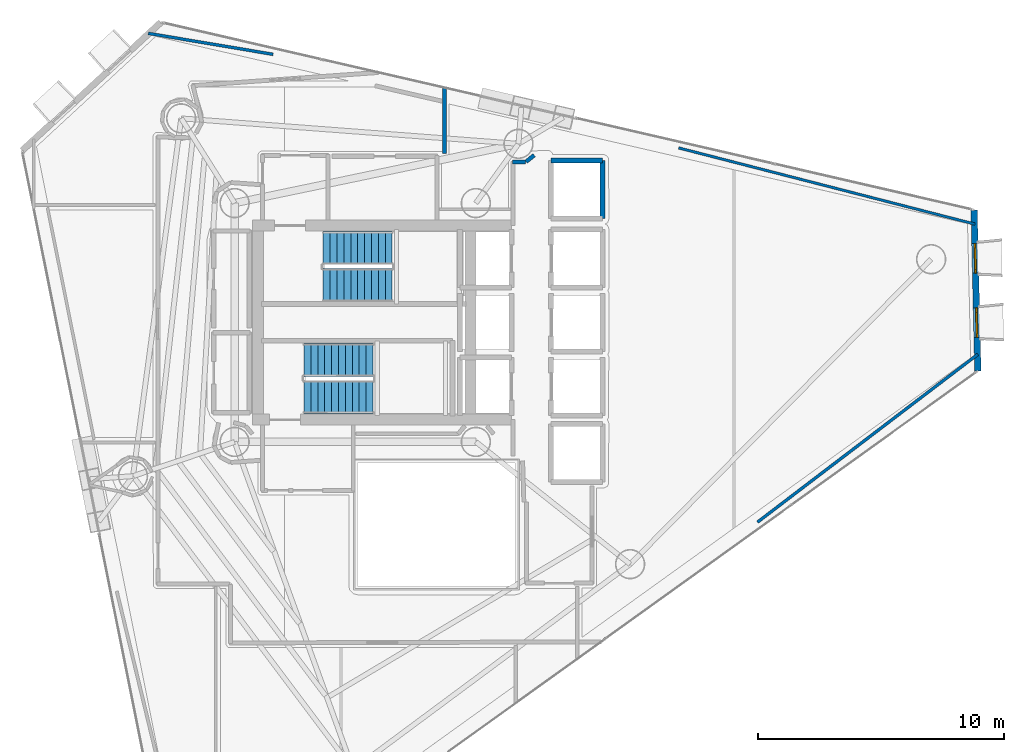
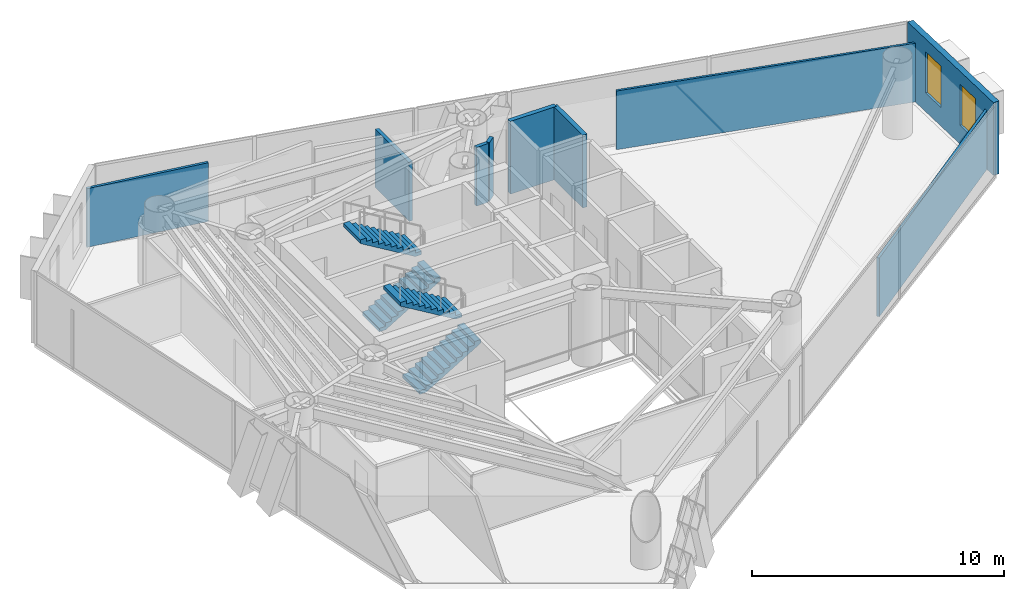
# One storey, part 19 of 22: 9 walls, 4 stair flights, 2 windows, 2 openings, 2 elements without a shape of their own.
"""IFC4 building model written with IfcOpenShell, lengths in metres."""

from ifc_helpers import new_model, si_unit, direction, frame, frame_2d, origin, place, context, subcontext, project, spatial, polyline, rectangle, outline, extrude, material, layer, layer_set, type_object, element, fill, aggregate, save


model = new_model("IFC4")

# Units and contexts
model_context = context("Model", 3, precision=1e-05, world=origin(), true_north=direction((0.0, 1.0)))
body_context = subcontext(model_context, "Body", "Model", "MODEL_VIEW")
ifc_project = project(units=[si_unit("LENGTHUNIT", "METRE"), si_unit("AREAUNIT", "SQUARE_METRE"), si_unit("VOLUMEUNIT", "CUBIC_METRE"), si_unit("PLANEANGLEUNIT", "RADIAN"), si_unit("MASSUNIT", "GRAM", prefix="KILO")], contexts=[model_context])

# Site, building, storey
site_placement = place(None, origin())
site = spatial("IfcSite", under=ifc_project, at=site_placement, CompositionType="ELEMENT")
building_placement = place(site_placement, origin())
building = spatial("IfcBuilding", under=site, at=building_placement, Name="Qianvela Tower", CompositionType="ELEMENT")
storey_placement = place(building_placement, frame((0.0, 0.0, 200.300048828125)))
storey = spatial("IfcBuildingStorey", under=building, at=storey_placement, Name="L51", CompositionType="ELEMENT", Elevation=200.300048828125)

# Wall, openings, windows
ifc_material_1 = material(Name="Terracotta Cladding on Concrete C40", Category="masonry")
ifc_layer_1 = layer(ifc_material_1, 0.260009765625)
ifc_layer_set_1 = layer_set([ifc_layer_1], Name="Terracotta Cladding on Concrete C40")
wall_type_1 = type_object("IfcWallType", Name="TERRACOTTA-WALL-260", PredefinedType="SOLIDWALL", material=ifc_layer_set_1)
wall_1_placement = place(storey_placement, frame((58.79345703125, 26.730224609375, 0.0), z_axis=(0.0, 0.0, 1.0), x_axis=(-0.023327605805, 0.999727874378, 0.0)))
wall_1 = element("IfcWall", 1, at=wall_1_placement, inside=storey, type_object=wall_type_1, Name="L51 Terracotta Chamfer Facet Wall 1", PredefinedType="SOLIDWALL", context=body_context, shape_type="SweptSolid", body=[
    extrude(rectangle(XDim=6.541015625, YDim=0.260009765625, at=frame_2d((3.2705078125, 0.0))), origin(), (0.0, 0.0, 1.0), 3.52001953125),
])
opening_1_placement = place(wall_1_placement, frame((1.3623046875, 0.0, 0.89990234375)))
opening_1 = element("IfcOpeningElement", 2, at=opening_1_placement, cuts=wall_1, Name="Opening W-03", PredefinedType="OPENING", context=body_context, shape_type="SweptSolid", body=[
    extrude(rectangle(XDim=1.199951171875, YDim=2.0, at=frame_2d((0.60009765625, 1.0))), frame((0.0, 0.139892578125, 0.0), z_axis=(0.0, -1.0, 0.0), x_axis=(1.0, 0.0, 0.0)), (0.0, 0.0, 1.0), 0.280029296875),
])
opening_2_placement = place(wall_1_placement, frame((3.978759765625, 0.0, 0.89990234375)))
opening_2 = element("IfcOpeningElement", 3, at=opening_2_placement, cuts=wall_1, Name="Opening W-03", PredefinedType="OPENING", context=body_context, shape_type="SweptSolid", body=[
    extrude(rectangle(XDim=1.199951171875, YDim=2.0, at=frame_2d((0.60009765625, 1.0))), frame((0.0, 0.139892578125, 0.0), z_axis=(0.0, -1.0, 0.0), x_axis=(1.0, 0.0, 0.0)), (0.0, 0.0, 1.0), 0.280029296875),
])
ifc_material_2 = material(Name="Thermally Broken Aluminium and Low-E Glass", Category="aluminium")
window_type = type_object("IfcWindowType", Name="WIN-TC-1200x2000", PartitioningType="SINGLE_PANEL", PredefinedType="WINDOW", material=ifc_material_2)
window_1_placement = place(opening_1_placement, origin())
window_1 = element("IfcWindow", 4, at=window_1_placement, inside=storey, type_object=window_type, Name="L51 Chamfer Facet Window 1.1", OverallHeight=2.0, OverallWidth=1.199951171875, PartitioningType="SINGLE_PANEL", PredefinedType="WINDOW", context=body_context, shape_type="SweptSolid", body=[
    extrude(rectangle(XDim=1.199951171875, YDim=2.0, at=frame_2d((0.60009765625, 1.0))), frame((0.0, 0.030029296875, 0.0), z_axis=(0.0, -1.0, 0.0), x_axis=(1.0, 0.0, 0.0)), (0.0, 0.0, 1.0), 0.06005859375),
])
fill(opening_1, window_1)
window_2_placement = place(opening_2_placement, origin())
window_2 = element("IfcWindow", 5, at=window_2_placement, inside=storey, type_object=window_type, Name="L51 Chamfer Facet Window 1.2", OverallHeight=2.0, OverallWidth=1.199951171875, PartitioningType="SINGLE_PANEL", PredefinedType="WINDOW", context=body_context, shape_type="SweptSolid", body=[
    extrude(rectangle(XDim=1.199951171875, YDim=2.0, at=frame_2d((0.60009765625, 1.0))), frame((0.0, 0.030029296875, 0.0), z_axis=(0.0, -1.0, 0.0), x_axis=(1.0, 0.0, 0.0)), (0.0, 0.0, 1.0), 0.06005859375),
])
fill(opening_2, window_2)

# Walls
ifc_material_3 = material(Name="Fire-Rated Gypsum and Concrete Block", Category="concrete")
ifc_layer_2 = layer(ifc_material_3, 0.159912109375)
ifc_layer_set_2 = layer_set([ifc_layer_2], Name="Fire-Rated Gypsum and Concrete Block")
wall_type_2 = type_object("IfcWallType", Name="WT-CORR-160", PredefinedType="PARTITIONING", material=ifc_layer_set_2)
wall_2_placement = place(storey_placement, frame((39.880615234375, 35.212890625, 0.0), z_axis=(0.0, 0.0, 1.0), x_axis=(0.999756500784, 0.02206669754, 0.0)))
element("IfcWall", 6, at=wall_2_placement, inside=storey, type_object=wall_type_2, Name="L51 Partition 13", PredefinedType="PARTITIONING", context=body_context, shape_type="SweptSolid", body=[
    extrude(rectangle(XDim=0.542236328125, YDim=0.159912109375, at=frame_2d((0.27099609375, 0.0))), origin(), (0.0, 0.0, 1.0), 2.83984375),
])
wall_3_placement = place(storey_placement, frame((40.44140625, 35.231689453125, 0.0), z_axis=(0.0, 0.0, 1.0), x_axis=(0.778714564707, 0.627378376033, 0.0)))
element("IfcWall", 7, at=wall_3_placement, inside=storey, type_object=wall_type_2, Name="L51 Partition 14", PredefinedType="PARTITIONING", context=body_context, shape_type="SweptSolid", body=[
    extrude(rectangle(XDim=0.421142578125, YDim=0.159912109375, at=frame_2d((0.21044921875, 0.0))), origin(), (0.0, 0.0, 1.0), 2.83984375),
])
wall_4_placement = place(storey_placement, frame((37.118896484375, 38.25537109375, 0.0), z_axis=(0.0, 0.0, 1.0), x_axis=(0.0, -1.0, 0.0)))
element("IfcWall", 8, at=wall_4_placement, inside=storey, type_object=wall_type_2, Name="L51 Partition 53", PredefinedType="PARTITIONING", context=body_context, shape_type="SweptSolid", body=[
    extrude(rectangle(XDim=2.6953125, YDim=0.159912109375, at=frame_2d((1.34765625, 0.0))), origin(), (0.0, 0.0, 1.0), 2.83984375),
])
ifc_material_4 = material(Name="Lightweight Gypsum Room Partition")
ifc_layer_3 = layer(ifc_material_4, 0.10498046875)
ifc_layer_set_3 = layer_set([ifc_layer_3], Name="Lightweight Gypsum Room Partition")
wall_type_3 = type_object("IfcWallType", Name="WT-PART-105", PredefinedType="PARTITIONING", material=ifc_layer_set_3)
wall_5_placement = place(storey_placement, frame((46.6376953125, 35.792724609375, 0.0), z_axis=(0.0, 0.0, 1.0), x_axis=(0.968468695422, -0.249135276483, 0.0)))
element("IfcWall", 9, at=wall_5_placement, inside=storey, type_object=wall_type_3, Name="L51 Partition 107 seg 2", PredefinedType="PARTITIONING", context=body_context, shape_type="SweptSolid", body=[
    extrude(rectangle(XDim=12.427734375, YDim=0.10498046875, at=frame_2d((6.2138671875, 0.0))), origin(), (0.0, 0.0, 1.0), 2.83984375),
])
ifc_material_5 = material(Name="Insulated Gypsum Stud Partition")
ifc_layer_4 = layer(ifc_material_5, 0.1201171875)
ifc_layer_set_4 = layer_set([ifc_layer_4], Name="Insulated Gypsum Stud Partition")
wall_type_4 = type_object("IfcWallType", Name="WT-PART-120", PredefinedType="PARTITIONING", material=ifc_layer_set_4)
wall_6_placement = place(storey_placement, frame((58.794189453125, 27.409423828125, 0.0), z_axis=(0.0, 0.0, 1.0), x_axis=(-0.795507908324, -0.605943205089, 0.0)))
element("IfcWall", 10, at=wall_6_placement, inside=storey, type_object=wall_type_4, Name="L51 Partition 109 seg 1", PredefinedType="PARTITIONING", context=body_context, shape_type="SweptSolid", body=[
    extrude(rectangle(XDim=11.253662109375, YDim=0.1201171875, at=frame_2d((5.626953125, 0.0))), origin(), (0.0, 0.0, 1.0), 2.83984375),
])
wall_7_placement = place(storey_placement, frame((25.092041015625, 40.445068359375, 0.0), z_axis=(0.0, 0.0, 1.0), x_axis=(0.986203429157, -0.165537899947, 0.0)))
element("IfcWall", 11, at=wall_7_placement, inside=storey, type_object=wall_type_4, Name="L51 Partition 121 seg 1", PredefinedType="PARTITIONING", context=body_context, shape_type="SweptSolid", body=[
    extrude(rectangle(XDim=5.144287109375, YDim=0.1201171875, at=frame_2d((2.572265625, 0.0))), origin(), (0.0, 0.0, 1.0), 2.83984375),
])
ifc_material_6 = material(Name="Concrete C50", Category="concrete")
ifc_layer_5 = layer(ifc_material_6, 0.199951171875)
ifc_layer_set_5 = layer_set([ifc_layer_5], Name="Concrete C50")
wall_type_5 = type_object("IfcWallType", Name="WT-SHAFT-200", PredefinedType="SOLIDWALL", material=ifc_layer_set_5)
wall_8_placement = place(storey_placement, frame((43.550048828125, 32.919921875, 0.0), z_axis=(0.0, 0.0, 1.0), x_axis=(0.0, 1.0, 0.0)))
element("IfcWall", 12, at=wall_8_placement, inside=storey, type_object=wall_type_5, Name="L51 Lift PL-H3 E Shaft Wall", PredefinedType="SOLIDWALL", context=body_context, shape_type="SweptSolid", body=[
    extrude(rectangle(XDim=2.360107421875, YDim=0.199951171875, at=frame_2d((1.18017578125, 0.0))), origin(), (0.0, 0.0, 1.0), 3.52001953125),
])
wall_9_placement = place(storey_placement, frame((41.449951171875, 35.280029296875, 0.0), z_axis=(0.0, 0.0, 1.0), x_axis=(1.0, 0.0, 0.0)))
element("IfcWall", 13, at=wall_9_placement, inside=storey, type_object=wall_type_5, Name="L51 Lift PL-H3 N Shaft Wall", PredefinedType="SOLIDWALL", context=body_context, shape_type="SweptSolid", body=[
    extrude(rectangle(XDim=2.10009765625, YDim=0.199951171875, at=frame_2d((1.050048828125, 0.0))), origin(), (0.0, 0.0, 1.0), 3.52001953125),
])

# Stair, stair flights
ifc_material_7 = material(Name="Concrete C40", Category="concrete")
stair_type = type_object("IfcStairType", Name="ST-DOGLEG-1350-R168-N22", PredefinedType="HALF_TURN_STAIR", material=ifc_material_7)
stair_1_placement = place(storey_placement, origin())
stair_1 = element("IfcStair", 14, at=stair_1_placement, inside=storey, type_object=stair_type, Name="L51 Smoke-Proof Core Stair ST-1", PredefinedType="HALF_TURN_STAIR")
ifc_material_8 = material(Name="Concrete C40", Category="concrete")
stair_flight_type = type_object("IfcStairFlightType", Name="STF-STRAIGHT-R168-P11", PredefinedType="STRAIGHT", material=ifc_material_8)
stair_flight_1_placement = place(storey_placement, frame((32.199951171875, 30.215087890625, 0.0), z_axis=(0.0, 0.0, 1.0), x_axis=(1.0, 0.0, 0.0)))
stair_flight_1 = element("IfcStairFlight", 15, at=stair_flight_1_placement, type_object=stair_flight_type, Name="ST-1 flight 1", NumberOfRisers=11, NumberOfTreads=10, PredefinedType="STRAIGHT", RiserHeight=0.168181818, TreadLength=0.28, context=body_context, shape_type="SweptSolid", body=[
    extrude(outline(polyline([(0.0, 0.0), (0.0, 0.168212890625), (0.280029296875, 0.168212890625), (0.280029296875, 0.33642578125), (0.56005859375, 0.33642578125), (0.56005859375, 0.504638671875), (0.840087890625, 0.504638671875), (0.840087890625, 0.672607421875), (1.1201171875, 0.672607421875), (1.1201171875, 0.8408203125), (1.39990234375, 0.8408203125), (1.39990234375, 1.009033203125), (1.679931640625, 1.009033203125), (1.679931640625, 1.17724609375), (1.9599609375, 1.17724609375), (1.9599609375, 1.345458984375), (2.239990234375, 1.345458984375), (2.239990234375, 1.513671875), (2.52001953125, 1.513671875), (2.52001953125, 1.681884765625), (2.800048828125, 1.681884765625), (2.800048828125, 1.85009765625), (2.800048828125, 1.5068359375), (0.291015625, 0.0), (0.0, 0.0)])), frame((0.0, 0.675048828125, 0.0), z_axis=(0.0, -1.0, 0.0), x_axis=(1.0, 0.0, 0.0)), (0.0, 0.0, 1.0), 1.35009765625),
])
stair_flight_2_placement = place(storey_placement, frame((35.0, 31.72509765625, 1.849853515625), z_axis=(0.0, 0.0, 1.0), x_axis=(-1.0, 0.0, 0.0)))
stair_flight_2 = element("IfcStairFlight", 16, at=stair_flight_2_placement, type_object=stair_flight_type, Name="ST-1 flight 2", NumberOfRisers=11, NumberOfTreads=10, PredefinedType="STRAIGHT", RiserHeight=0.168181818, TreadLength=0.28, context=body_context, shape_type="SweptSolid", body=[
    extrude(outline(polyline([(0.0, 0.0), (0.0, 0.168212890625), (0.280029296875, 0.168212890625), (0.280029296875, 0.33642578125), (0.56005859375, 0.33642578125), (0.56005859375, 0.504638671875), (0.840087890625, 0.504638671875), (0.840087890625, 0.672607421875), (1.1201171875, 0.672607421875), (1.1201171875, 0.8408203125), (1.39990234375, 0.8408203125), (1.39990234375, 1.009033203125), (1.679931640625, 1.009033203125), (1.679931640625, 1.17724609375), (1.9599609375, 1.17724609375), (1.9599609375, 1.345458984375), (2.239990234375, 1.345458984375), (2.239990234375, 1.513671875), (2.52001953125, 1.513671875), (2.52001953125, 1.681884765625), (2.800048828125, 1.681884765625), (2.800048828125, 1.85009765625), (2.800048828125, 1.5068359375), (0.291015625, 0.0), (0.0, 0.0)])), frame((0.0, 0.675048828125, 0.0), z_axis=(0.0, -1.0, 0.0), x_axis=(1.0, 0.0, 0.0)), (0.0, 0.0, 1.0), 1.35009765625),
])
aggregate(stair_1, [stair_flight_1, stair_flight_2])

stair_2_placement = place(storey_placement, origin())
stair_2 = element("IfcStair", 17, at=stair_2_placement, inside=storey, type_object=stair_type, Name="L51 Smoke-Proof Core Stair ST-2", PredefinedType="HALF_TURN_STAIR")
stair_flight_3_placement = place(storey_placement, frame((31.419921875, 25.675048828125, 0.0), z_axis=(0.0, 0.0, 1.0), x_axis=(1.0, 0.0, 0.0)))
stair_flight_3 = element("IfcStairFlight", 18, at=stair_flight_3_placement, type_object=stair_flight_type, Name="ST-2 flight 1", NumberOfRisers=11, NumberOfTreads=10, PredefinedType="STRAIGHT", RiserHeight=0.168181818, TreadLength=0.28, context=body_context, shape_type="SweptSolid", body=[
    extrude(outline(polyline([(0.0, 0.0), (0.0, 0.168212890625), (0.280029296875, 0.168212890625), (0.280029296875, 0.33642578125), (0.56005859375, 0.33642578125), (0.56005859375, 0.504638671875), (0.840087890625, 0.504638671875), (0.840087890625, 0.672607421875), (1.1201171875, 0.672607421875), (1.1201171875, 0.8408203125), (1.39990234375, 0.8408203125), (1.39990234375, 1.009033203125), (1.679931640625, 1.009033203125), (1.679931640625, 1.17724609375), (1.9599609375, 1.17724609375), (1.9599609375, 1.345458984375), (2.239990234375, 1.345458984375), (2.239990234375, 1.513671875), (2.52001953125, 1.513671875), (2.52001953125, 1.681884765625), (2.800048828125, 1.681884765625), (2.800048828125, 1.85009765625), (2.800048828125, 1.5068359375), (0.291015625, 0.0), (0.0, 0.0)])), frame((0.0, 0.675048828125, 0.0), z_axis=(0.0, -1.0, 0.0), x_axis=(1.0, 0.0, 0.0)), (0.0, 0.0, 1.0), 1.35009765625),
])
stair_flight_4_placement = place(storey_placement, frame((34.219970703125, 27.18505859375, 1.849853515625), z_axis=(0.0, 0.0, 1.0), x_axis=(-1.0, 0.0, 0.0)))
stair_flight_4 = element("IfcStairFlight", 19, at=stair_flight_4_placement, type_object=stair_flight_type, Name="ST-2 flight 2", NumberOfRisers=11, NumberOfTreads=10, PredefinedType="STRAIGHT", RiserHeight=0.168181818, TreadLength=0.28, context=body_context, shape_type="SweptSolid", body=[
    extrude(outline(polyline([(0.0, 0.0), (0.0, 0.168212890625), (0.280029296875, 0.168212890625), (0.280029296875, 0.33642578125), (0.56005859375, 0.33642578125), (0.56005859375, 0.504638671875), (0.840087890625, 0.504638671875), (0.840087890625, 0.672607421875), (1.1201171875, 0.672607421875), (1.1201171875, 0.8408203125), (1.39990234375, 0.8408203125), (1.39990234375, 1.009033203125), (1.679931640625, 1.009033203125), (1.679931640625, 1.17724609375), (1.9599609375, 1.17724609375), (1.9599609375, 1.345458984375), (2.239990234375, 1.345458984375), (2.239990234375, 1.513671875), (2.52001953125, 1.513671875), (2.52001953125, 1.681884765625), (2.800048828125, 1.681884765625), (2.800048828125, 1.85009765625), (2.800048828125, 1.5068359375), (0.291015625, 0.0), (0.0, 0.0)])), frame((0.0, 0.675048828125, 0.0), z_axis=(0.0, -1.0, 0.0), x_axis=(1.0, 0.0, 0.0)), (0.0, 0.0, 1.0), 1.35009765625),
])
aggregate(stair_2, [stair_flight_3, stair_flight_4])

save(model, "model.ifc")
